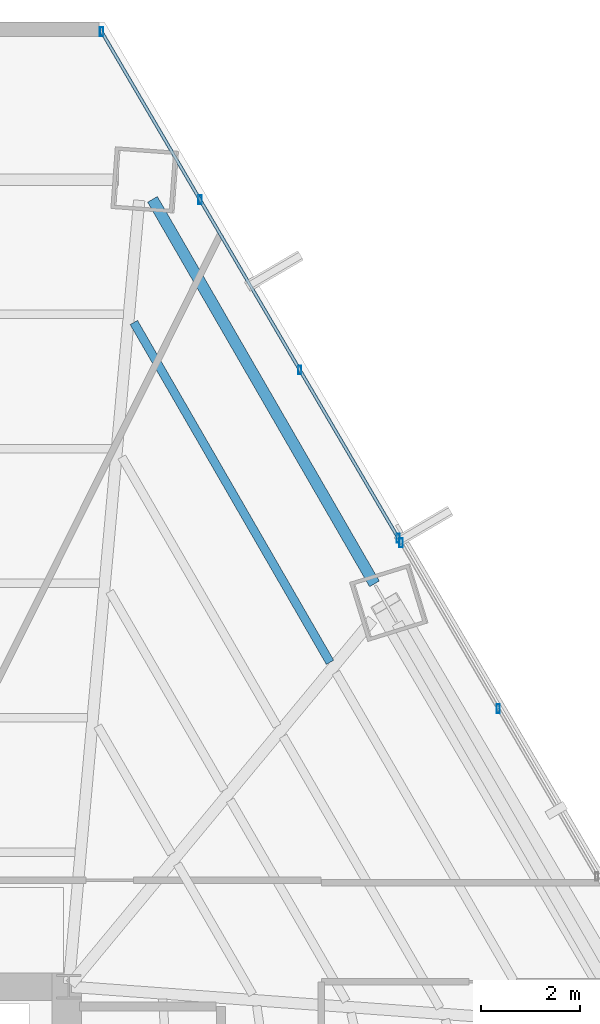
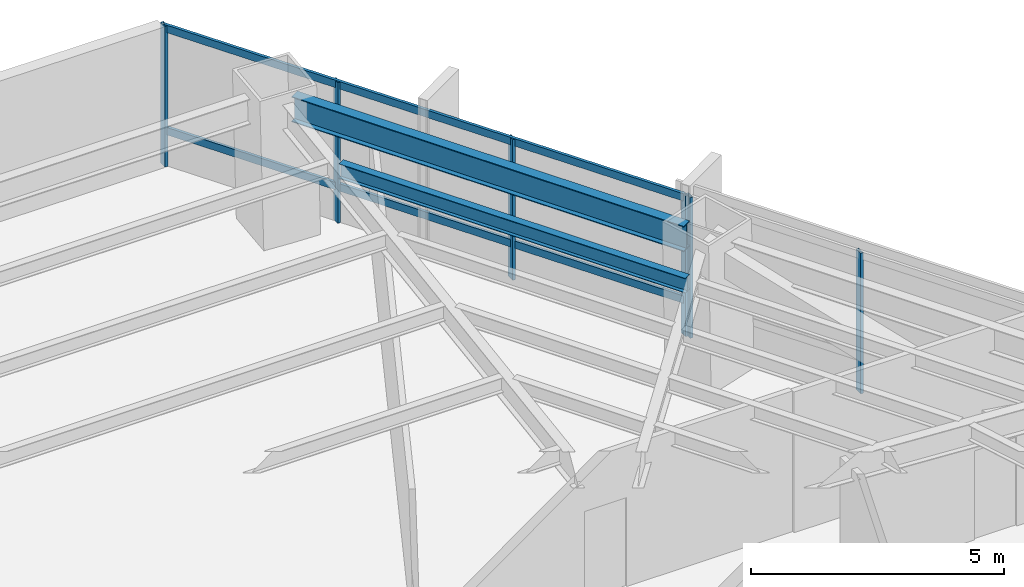
# One storey, part 26 of 33: 8 members, 2 beams, 2 elements without a shape of their own.
"""IFC4 building model written with IfcOpenShell, lengths in metres."""

from ifc_helpers import new_model, si_unit, direction, frame, origin, origin_2d, place, context, subcontext, project, spatial, hollow_rectangle, i_section, extrude, source, transform, mapped, material, material_profile, profile_set, type_object, type_shapes, element, aggregate, save


model = new_model("IFC4")

# Units and contexts
model_context = context("Model", 3, precision=1e-05, world=origin(), true_north=direction((0.0, 1.0)))
body_context = subcontext(model_context, "Body", "Model", "MODEL_VIEW")
ifc_project = project(units=[si_unit("LENGTHUNIT", "METRE"), si_unit("AREAUNIT", "SQUARE_METRE"), si_unit("VOLUMEUNIT", "CUBIC_METRE"), si_unit("PLANEANGLEUNIT", "RADIAN"), si_unit("MASSUNIT", "GRAM", prefix="KILO")], contexts=[model_context])

# Site, building, storey
site_placement = place(None, origin())
site = spatial("IfcSite", under=ifc_project, at=site_placement, CompositionType="ELEMENT")
building_placement = place(site_placement, origin())
building = spatial("IfcBuilding", under=site, at=building_placement, Name="Caelisora Broadcast Tower", CompositionType="ELEMENT")
storey_placement = place(building_placement, frame((0.0, 0.0, 38.550048828125)))
storey = spatial("IfcBuildingStorey", under=building, at=storey_placement, Name="L09", CompositionType="ELEMENT", Elevation=38.550048828125)

# Beams
ifc_material_1 = material(Name="Steel Grade 350 (AS/NZS 3679.1)", Category="steel")
ifc_material_profile_1 = material_profile(ifc_material_1, i_section(OverallWidth=0.22900390625, OverallDepth=0.611572265625, WebThickness=0.011962890625, FlangeThickness=0.01953125, at=origin_2d()), Name="Steel Grade 350 (AS/NZS 3679.1)")
ifc_profile_set_1 = profile_set([ifc_material_profile_1], Name="Steel Grade 350 (AS/NZS 3679.1)")
beam_type_1 = type_object("IfcBeamType", Name="PG03", PredefinedType="BEAM", material=ifc_profile_set_1)
shared_shape_1 = source(origin(), body_context, "Body", "SweptSolid", [
    extrude(i_section(OverallWidth=0.22900390625, OverallDepth=0.611572265625, WebThickness=0.011962890625, FlangeThickness=0.01953125, at=origin_2d()), origin(), (0.0, 0.0, 1.0), 8.966064453125),
])
type_shapes(beam_type_1, [shared_shape_1])
beam_1_placement = place(storey_placement, frame((51.67578125, 38.134521484375, 3.09423828125), z_axis=(-0.500007651797, 0.866020985972, 0.0), x_axis=(-0.866020985972, -0.500007651797, 0.0)))
element("IfcBeam", 1, at=beam_1_placement, inside=storey, type_object=beam_type_1, Name="L09 beam PG03", PredefinedType="BEAM", context=body_context, shape_type="MappedRepresentation", body=[
    mapped(shared_shape_1, transform((0.0, 0.0, 0.0), scale=1.0)),
])
ifc_material_profile_2 = material_profile(ifc_material_1, i_section(OverallWidth=0.172119140625, OverallDepth=0.358642578125, WebThickness=0.008056640625, FlangeThickness=0.012939453125, at=origin_2d()), Name="Steel Grade 350 (AS/NZS 3679.1)")
ifc_profile_set_2 = profile_set([ifc_material_profile_2], Name="Steel Grade 350 (AS/NZS 3679.1)")
beam_type_2 = type_object("IfcBeamType", Name="SB02", PredefinedType="JOIST", material=ifc_profile_set_2)
shared_shape_2 = source(origin(), body_context, "Body", "SweptSolid", [
    extrude(i_section(OverallWidth=0.172119140625, OverallDepth=0.358642578125, WebThickness=0.008056640625, FlangeThickness=0.012939453125, at=origin_2d()), origin(), (0.0, 0.0, 1.0), 7.9248046875),
])
type_shapes(beam_type_2, [shared_shape_2])
beam_2_placement = place(storey_placement, frame((50.77880859375, 36.549560546875, 3.220703125), z_axis=(-0.500002462644, 0.866023981971, 0.0), x_axis=(-0.866023981971, -0.500002462644, 0.0)))
element("IfcBeam", 2, at=beam_2_placement, inside=storey, type_object=beam_type_2, Name="L09 beam SB02", PredefinedType="JOIST", context=body_context, shape_type="MappedRepresentation", body=[
    mapped(shared_shape_2, transform((0.0, 0.0, 0.0), scale=1.0)),
])

# Curtain wall, members
ifc_material_2 = material(Name="Unitised Aluminium and Low-E Glass Curtain Wall", Category="glass")
curtain_wall_type_1 = type_object("IfcCurtainWallType", Name="CW-Z1", PredefinedType="NOTDEFINED", material=ifc_material_2)
curtain_wall_1_placement = place(storey_placement, origin())
curtain_wall_1 = element("IfcCurtainWall", 3, at=curtain_wall_1_placement, inside=storey, type_object=curtain_wall_type_1, Name="L09 curtain wall CW-Z1", PredefinedType="NOTDEFINED")
ifc_material_3 = material(Name="Aluminium 6063-T6 Anodised Terracotta Bronze", Category="aluminium")
ifc_material_profile_3 = material_profile(ifc_material_3, hollow_rectangle(XDim=0.06494140625, YDim=0.179931640625, WallThickness=0.00341796875, at=origin_2d()), Name="Aluminium 6063-T6 Anodised Terracotta Bronze")
ifc_profile_set_3 = profile_set([ifc_material_profile_3], Name="Aluminium 6063-T6 Anodised Terracotta Bronze")
member_type_1 = type_object("IfcMemberType", Name="CWM-02", PredefinedType="MULLION", material=ifc_profile_set_3)
shared_shape_3 = source(origin(), body_context, "Body", "SweptSolid", [
    extrude(hollow_rectangle(XDim=0.06494140625, YDim=0.179931640625, WallThickness=0.00341796875, at=origin_2d()), origin(), (0.0, 0.0, 1.0), 3.39990234375),
])
type_shapes(member_type_1, [shared_shape_3])
member_1_placement = place(storey_placement, frame((46.165283203125, 49.282958984375, 0.0), z_axis=(0.0, 0.0, 1.0), x_axis=(1.0, 0.0, 0.0)))
member_1 = element("IfcMember", 4, at=member_1_placement, type_object=member_type_1, Name="L09-CW-B01 mullion #0", PredefinedType="MULLION", context=body_context, shape_type="MappedRepresentation", body=[
    mapped(shared_shape_3, transform((0.0, 0.0, 0.0), scale=1.0)),
])
member_2_placement = place(storey_placement, frame((48.154296875, 45.88916015625, 0.0), z_axis=(0.0, 0.0, 1.0), x_axis=(1.0, 0.0, 0.0)))
member_2 = element("IfcMember", 5, at=member_2_placement, type_object=member_type_1, Name="L09-CW-B01 mullion #1", PredefinedType="MULLION", context=body_context, shape_type="MappedRepresentation", body=[
    mapped(shared_shape_3, transform((0.0, 0.0, 0.0), scale=1.0)),
])
member_3_placement = place(storey_placement, frame((50.1689453125, 42.4521484375, 0.0), z_axis=(0.0, 0.0, 1.0), x_axis=(1.0, 0.0, 0.0)))
member_3 = element("IfcMember", 6, at=member_3_placement, type_object=member_type_1, Name="L09-CW-B01 mullion #2", PredefinedType="MULLION", context=body_context, shape_type="MappedRepresentation", body=[
    mapped(shared_shape_3, transform((0.0, 0.0, 0.0), scale=1.0)),
])
member_4_placement = place(storey_placement, frame((52.158203125, 39.058349609375, 0.0), z_axis=(0.0, 0.0, 1.0), x_axis=(1.0, 0.0, 0.0)))
member_4 = element("IfcMember", 7, at=member_4_placement, type_object=member_type_1, Name="L09-CW-B01 mullion #3", PredefinedType="MULLION", context=body_context, shape_type="MappedRepresentation", body=[
    mapped(shared_shape_3, transform((0.0, 0.0, 0.0), scale=1.0)),
])

ifc_material_4 = material(Name="Unitised Aluminium Insulated Shadow-Box Spandrel Curtain Wall", Category="aluminium")
curtain_wall_type_2 = type_object("IfcCurtainWallType", Name="CW-SP1", PredefinedType="NOTDEFINED", material=ifc_material_4)
curtain_wall_2_placement = place(storey_placement, origin())
curtain_wall_2 = element("IfcCurtainWall", 8, at=curtain_wall_2_placement, inside=storey, type_object=curtain_wall_type_2, Name="L09 curtain wall CW-SP1", PredefinedType="NOTDEFINED")
member_5_placement = place(storey_placement, frame((52.213623046875, 38.96337890625, 0.0), z_axis=(0.0, 0.0, 1.0), x_axis=(1.0, 0.0, 0.0)))
member_5 = element("IfcMember", 9, at=member_5_placement, type_object=member_type_1, Name="L09-CW-B02 mullion #0", PredefinedType="MULLION", context=body_context, shape_type="MappedRepresentation", body=[
    mapped(shared_shape_3, transform((0.0, 0.0, 0.0), scale=1.0)),
])
member_6_placement = place(storey_placement, frame((54.17626953125, 35.615234375, 0.0), z_axis=(0.0, 0.0, 1.0), x_axis=(1.0, 0.0, 0.0)))
member_6 = element("IfcMember", 10, at=member_6_placement, type_object=member_type_1, Name="L09-CW-B02 mullion #1", PredefinedType="MULLION", context=body_context, shape_type="MappedRepresentation", body=[
    mapped(shared_shape_3, transform((0.0, 0.0, 0.0), scale=1.0)),
])
aggregate(curtain_wall_2, [member_5, member_6])

# Member
ifc_material_profile_4 = material_profile(ifc_material_3, hollow_rectangle(XDim=0.06494140625, YDim=0.179931640625, WallThickness=0.00341796875, at=origin_2d()), Name="Aluminium 6063-T6 Anodised Terracotta Bronze")
ifc_profile_set_4 = profile_set([ifc_material_profile_4], Name="Aluminium 6063-T6 Anodised Terracotta Bronze")
member_type_2 = type_object("IfcMemberType", Name="CWT-01", PredefinedType="USERDEFINED", material=ifc_profile_set_4)
shared_shape_4 = source(origin(), body_context, "Body", "SweptSolid", [
    extrude(hollow_rectangle(XDim=0.06494140625, YDim=0.179931640625, WallThickness=0.00341796875, at=origin_2d()), origin(), (0.0, 0.0, 1.0), 11.8515625),
])
type_shapes(member_type_2, [shared_shape_4])
member_7_placement = place(storey_placement, frame((46.165283203125, 49.282958984375, 0.849853515625), z_axis=(0.505668217578, -0.86272802999, 0.0), x_axis=(0.86272802999, 0.505668217578, 0.0)))
member_7 = element("IfcMember", 11, at=member_7_placement, type_object=member_type_2, Name="L09-CW-B01 transom #1", ObjectType="TRANSOM", PredefinedType="USERDEFINED", context=body_context, shape_type="MappedRepresentation", body=[
    mapped(shared_shape_4, transform((0.0, 0.0, 0.0), scale=1.0)),
])

member_8_placement = place(storey_placement, frame((46.165283203125, 49.282958984375, 3.320068359375), z_axis=(0.505668217578, -0.86272802999, 0.0), x_axis=(0.86272802999, 0.505668217578, 0.0)))
member_8 = element("IfcMember", 12, at=member_8_placement, type_object=member_type_2, Name="L09-CW-B01 transom #2", ObjectType="TRANSOM", PredefinedType="USERDEFINED", context=body_context, shape_type="MappedRepresentation", body=[
    mapped(shared_shape_4, transform((0.0, 0.0, 0.0), scale=1.0)),
])

aggregate(curtain_wall_1, [member_1, member_2, member_3, member_4, member_7, member_8])

save(model, "model.ifc")
